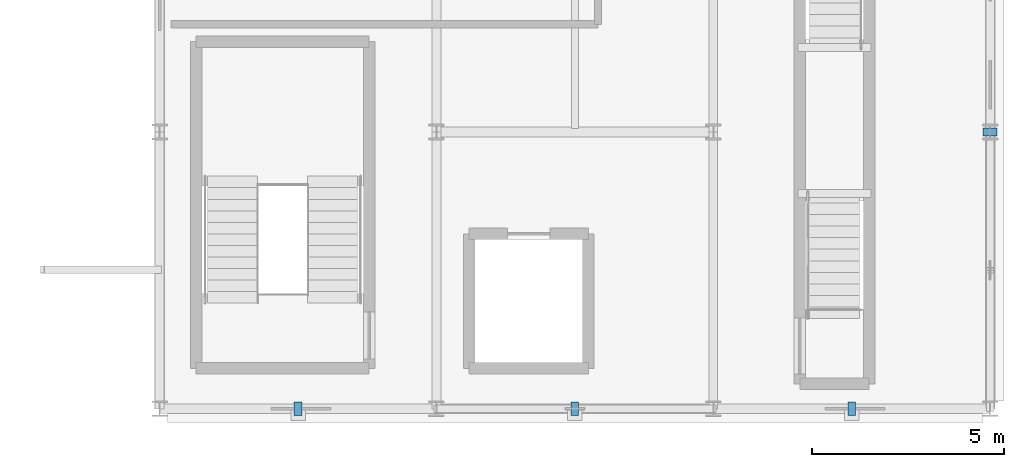
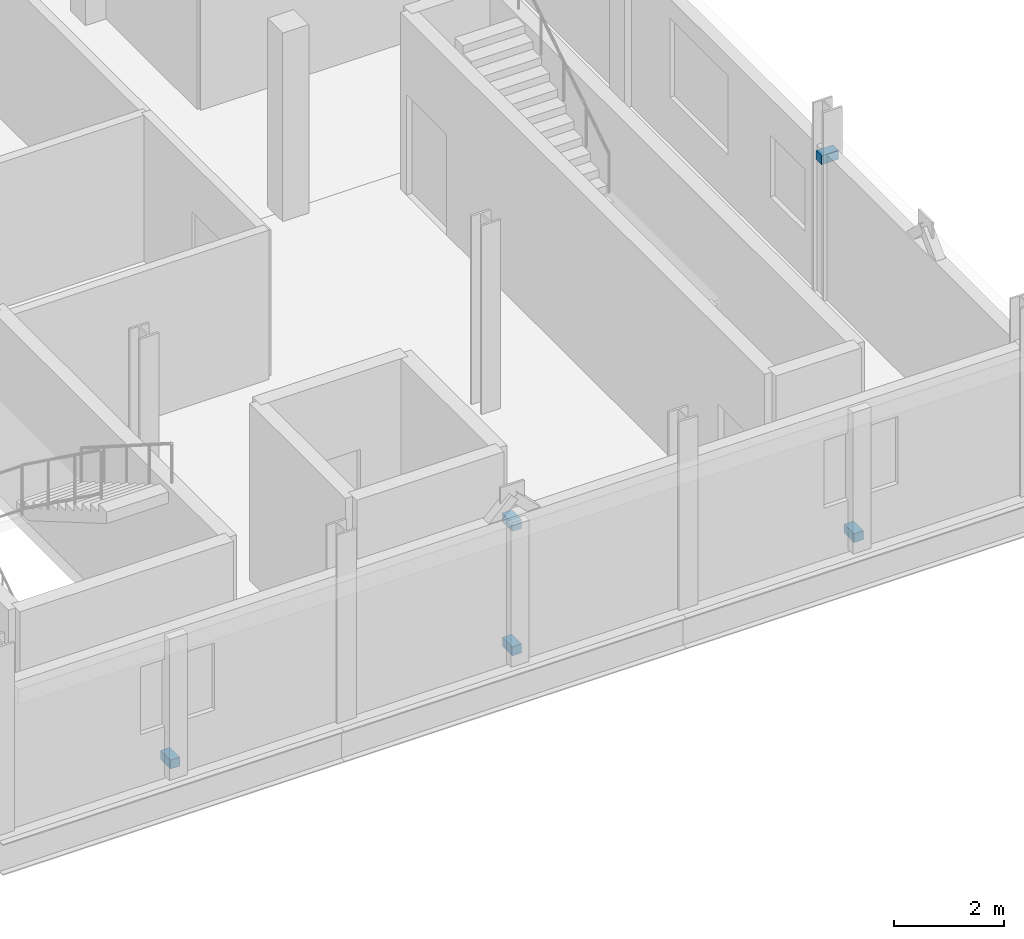
# One storey, part 98 of 102: 5 discrete accessories.
"""IFC4 building model written with IfcOpenShell, lengths in metres."""

from ifc_helpers import new_model, si_unit, direction, frame, origin, origin_2d, place, context, subcontext, project, spatial, rectangle, extrude, material, type_object, element, save


model = new_model("IFC4")

# Units and contexts
model_context = context("Model", 3, precision=1e-05, world=origin(), true_north=direction((0.0, 1.0)))
body_context = subcontext(model_context, "Body", "Model", "MODEL_VIEW")
ifc_project = project(units=[si_unit("LENGTHUNIT", "METRE"), si_unit("AREAUNIT", "SQUARE_METRE"), si_unit("VOLUMEUNIT", "CUBIC_METRE"), si_unit("PLANEANGLEUNIT", "RADIAN"), si_unit("MASSUNIT", "GRAM", prefix="KILO")], contexts=[model_context])

# Site, building, storey
site_placement = place(None, origin())
site = spatial("IfcSite", under=ifc_project, at=site_placement, CompositionType="ELEMENT")
building_placement = place(site_placement, origin())
building = spatial("IfcBuilding", under=site, at=building_placement, Name="Yarey Park Central Fire Station", CompositionType="ELEMENT")
storey_placement = place(building_placement, frame((0.0, 0.0, 6.0)))
storey = spatial("IfcBuildingStorey", under=building, at=storey_placement, Name="L02", CompositionType="ELEMENT", Elevation=6.0)

# Discrete accessories
ifc_material = material(Name="Stainless Steel AISI 316L", Category="steel")
discrete_accessory_type = type_object("IfcDiscreteAccessoryType", Name="ENV_BRK_SS1", PredefinedType="BRACKET", material=ifc_material)
discrete_accessory_placement = place(storey_placement, frame((165.60009765625, 7.199951171875, 2.97021484375), z_axis=(0.0, 0.0, 1.0), x_axis=(1.0, 0.0, 0.0)))
element("IfcDiscreteAccessory", 1, at=discrete_accessory_placement, inside=storey, type_object=discrete_accessory_type, Name="BRK_FIN_L02_DTE_HOOD", PredefinedType="BRACKET", context=body_context, shape_type="SweptSolid", body=[
    extrude(rectangle(XDim=0.360107421875, YDim=0.199951171875, at=origin_2d()), origin(), (0.0, 0.0, 1.0), 0.199951171875),
])
for number, where, z_axis, x_axis, name in (
    (2, (154.800048828125, 0.0, 2.97021484375), (0.0, 0.0, 1.0), (1.0, 0.0, 0.0), "BRK_FIN_L02_DTS_HOOD"),
    (3, (147.60009765625, 0.0, 0.2001953125), (0.0, 0.0, 1.0), (1.0, 0.0, 0.0), "BRK_FIN_L02_DTS_PIL_1"),
    (4, (154.800048828125, 0.0, 0.2001953125), (0.0, 0.0, 1.0), (1.0, 0.0, 0.0), "BRK_FIN_L02_DTS_PIL_2"),
    (5, (162.0, 0.0, 0.2001953125), (0.0, 0.0, 1.0), (1.0, 0.0, 0.0), "BRK_FIN_L02_DTS_PIL_3"),
):
    element("IfcDiscreteAccessory", number, at=place(storey_placement, frame(where, z_axis=z_axis, x_axis=x_axis)), inside=storey, type_object=discrete_accessory_type, Name=name, PredefinedType="BRACKET", context=body_context, shape_type="SweptSolid", body=[
        extrude(rectangle(XDim=0.199951171875, YDim=0.360107421875, at=origin_2d()), origin(), (0.0, 0.0, 1.0), 0.199951171875),
    ])

save(model, "model.ifc")
